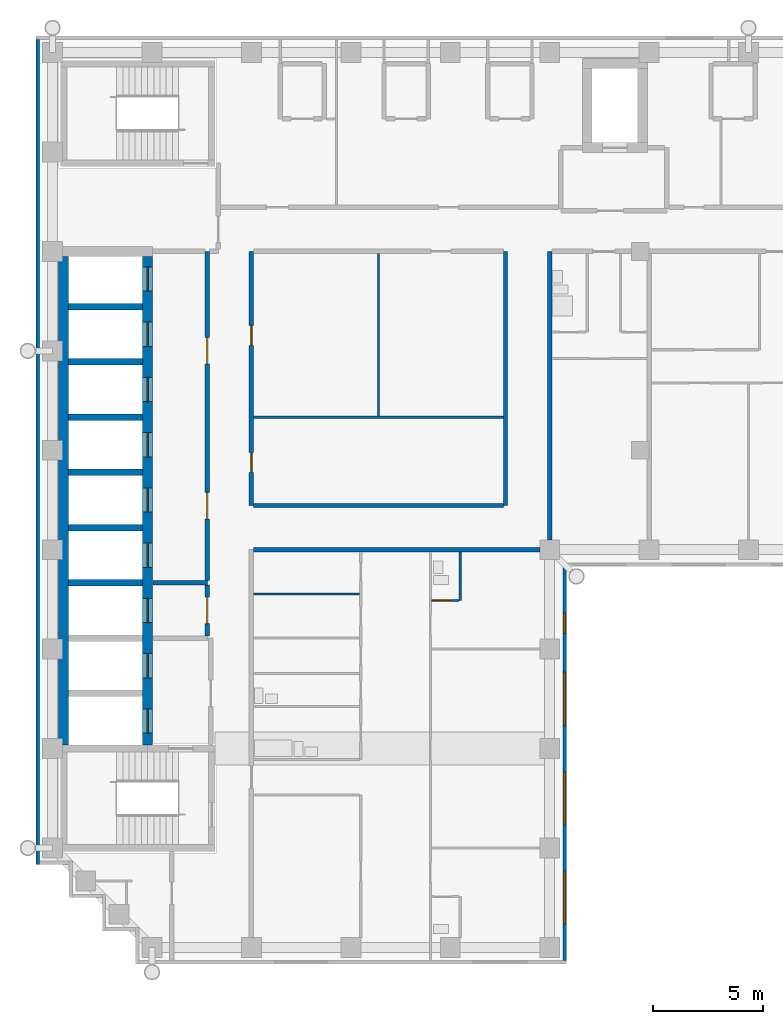
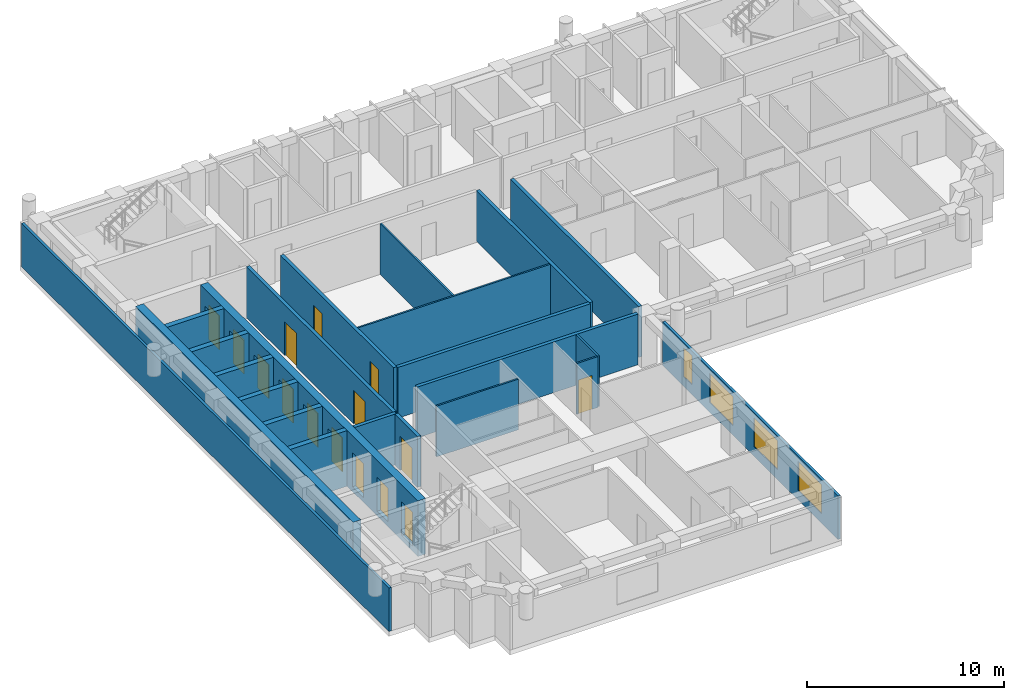
# One storey, part 3 of 9: 23 walls, 15 doors, 4 windows, 19 openings.
"""IFC4 building model written with IfcOpenShell, lengths in metres."""

from ifc_helpers import new_model, si_unit, direction, frame, frame_2d, origin, place, context, subcontext, project, spatial, rectangle, extrude, material, layer, layer_set, type_object, element, fill, save


model = new_model("IFC4")

# Units and contexts
model_context = context("Model", 3, precision=1e-05, world=origin(), true_north=direction((0.0, 1.0)))
body_context = subcontext(model_context, "Body", "Model", "MODEL_VIEW")
ifc_project = project(units=[si_unit("LENGTHUNIT", "METRE"), si_unit("AREAUNIT", "SQUARE_METRE"), si_unit("VOLUMEUNIT", "CUBIC_METRE"), si_unit("PLANEANGLEUNIT", "RADIAN"), si_unit("MASSUNIT", "GRAM", prefix="KILO")], contexts=[model_context])

# Site, building, storey
site_placement = place(None, origin())
site = spatial("IfcSite", under=ifc_project, at=site_placement, CompositionType="ELEMENT")
building_placement = place(site_placement, origin())
building = spatial("IfcBuilding", under=site, at=building_placement, Name="Firuza Court", CompositionType="ELEMENT")
storey_placement = place(building_placement, frame((0.0, 0.0, 254.60009765625)))
storey = spatial("IfcBuildingStorey", under=building, at=storey_placement, Name="L66", CompositionType="ELEMENT", Elevation=254.60009765625)

# Wall, opening, door
ifc_material_1 = material(Name="Moisture-resistant gypsum board partition")
ifc_layer_1 = layer(ifc_material_1, 0.10009765625)
ifc_layer_set_1 = layer_set([ifc_layer_1], Name="Moisture-resistant gypsum board partition")
wall_type_1 = type_object("IfcWallType", Name="Bathroom partition 100", PredefinedType="PLUMBINGWALL", material=ifc_layer_set_1)
wall_1_placement = place(storey_placement, frame((17.14990234375, 33.699951171875, 0.0), z_axis=(0.0, 0.0, 1.0), x_axis=(1.0, 0.0, 0.0)))
wall_1 = element("IfcWall", 1, at=wall_1_placement, inside=storey, type_object=wall_type_1, Name="Bathroom partition 100 L66", PredefinedType="PLUMBINGWALL", context=body_context, shape_type="SweptSolid", body=[
    extrude(rectangle(XDim=1.25, YDim=0.10009765625, at=frame_2d((0.625, 0.0))), origin(), (0.0, 0.0, 1.0), 3.14990234375),
])
opening_1_placement = place(wall_1_placement, frame((0.10009765625, 0.0, 0.0)))
opening_1 = element("IfcOpeningElement", 2, at=opening_1_placement, cuts=wall_1, Name="Opening D66024", PredefinedType="OPENING", context=body_context, shape_type="SweptSolid", body=[
    extrude(rectangle(XDim=0.800048828125, YDim=2.10009765625, at=frame_2d((0.39990234375, 1.050048828125))), frame((0.0, 0.06201171875, 0.0), z_axis=(0.0, -1.0, 0.0), x_axis=(1.0, 0.0, 0.0)), (0.0, 0.0, 1.0), 0.1240234375),
])
ifc_material_2 = material(Name="Timber door leaf in hardwood frame", Category="wood")
door_type_1 = type_object("IfcDoorType", Name="Bathroom door 800", OperationType="SINGLE_SWING_LEFT", PredefinedType="DOOR", material=ifc_material_2)
door_1_placement = place(opening_1_placement, origin())
door_1 = element("IfcDoor", 3, at=door_1_placement, inside=storey, type_object=door_type_1, Name="En-suite door", OperationType="SINGLE_SWING_LEFT", OverallHeight=2.10009765625, OverallWidth=0.800048828125, PredefinedType="DOOR", context=body_context, shape_type="SweptSolid", body=[
    extrude(rectangle(XDim=0.800048828125, YDim=2.10009765625, at=frame_2d((0.39990234375, 1.050048828125))), frame((0.0, 0.02490234375, 0.0), z_axis=(0.0, -1.0, 0.0), x_axis=(1.0, 0.0, 0.0)), (0.0, 0.0, 1.0), 0.050048828125),
])
fill(opening_1, door_1)

# Walls
wall_2_placement = place(storey_placement, frame((18.449951171875, 33.699951171875, 0.0), z_axis=(0.0, 0.0, 1.0), x_axis=(0.0, 1.0, 0.0)))
element("IfcWall", 4, at=wall_2_placement, inside=storey, type_object=wall_type_1, Name="Bathroom partition 100 L66", PredefinedType="PLUMBINGWALL", context=body_context, shape_type="SweptSolid", body=[
    extrude(rectangle(XDim=2.199951171875, YDim=0.10009765625, at=frame_2d((1.10009765625, 0.0))), origin(), (0.0, 0.0, 1.0), 3.14990234375),
])
ifc_material_3 = material(Name="Concrete C50/60", Category="concrete")
ifc_layer_2 = layer(ifc_material_3, 0.300048828125)
ifc_layer_set_2 = layer_set([ifc_layer_2], Name="Concrete C50/60")
wall_type_2 = type_object("IfcWallType", Name="Core wall 300 C50/60", PredefinedType="SHEAR", material=ifc_layer_set_2)
for number, where, z_axis, x_axis, name in (
    (5, (0.72509765625, 34.5, -0.300048828125), (0.0, 0.0, 1.0), (1.0, 0.0, 0.0), "Core wall lift shaft L66"),
    (6, (0.72509765625, 37.0, -0.300048828125), (0.0, 0.0, 1.0), (1.0, 0.0, 0.0), "Core wall lift shaft L66"),
    (7, (0.72509765625, 39.5, -0.300048828125), (0.0, 0.0, 1.0), (1.0, 0.0, 0.0), "Core wall lift shaft L66"),
    (8, (0.72509765625, 42.0, -0.300048828125), (0.0, 0.0, 1.0), (1.0, 0.0, 0.0), "Core wall lift shaft L66"),
    (9, (0.72509765625, 44.5, -0.300048828125), (0.0, 0.0, 1.0), (1.0, 0.0, 0.0), "Core wall lift shaft L66"),
    (10, (0.72509765625, 47.0, -0.300048828125), (0.0, 0.0, 1.0), (1.0, 0.0, 0.0), "Core wall lift shaft L66"),
):
    element("IfcWall", number, at=place(storey_placement, frame(where, z_axis=z_axis, x_axis=x_axis)), inside=storey, type_object=wall_type_2, Name=name, PredefinedType="SHEAR", context=body_context, shape_type="SweptSolid", body=[
        extrude(rectangle(XDim=3.349853515625, YDim=0.300048828125, at=frame_2d((1.6748046875, 0.0))), origin(), (0.0, 0.0, 1.0), 3.449951171875),
    ])
ifc_layer_3 = layer(ifc_material_3, 0.449951171875)
ifc_layer_set_3 = layer_set([ifc_layer_3], Name="Concrete C50/60")
wall_type_3 = type_object("IfcWallType", Name="Core wall 450 C50/60", PredefinedType="SHEAR", material=ifc_layer_set_3)
wall_3_placement = place(storey_placement, frame((0.5, 27.14990234375, -0.300048828125), z_axis=(0.0, 0.0, 1.0), x_axis=(0.0, 1.0, 0.0)))
element("IfcWall", 11, at=wall_3_placement, inside=storey, type_object=wall_type_3, Name="Core wall lift shaft L66", PredefinedType="SHEAR", context=body_context, shape_type="SweptSolid", body=[
    extrude(rectangle(XDim=22.125, YDim=0.449951171875, at=frame_2d((11.0625, 0.0))), origin(), (0.0, 0.0, 1.0), 3.449951171875),
])

# Wall, openings, doors
wall_4_placement = place(storey_placement, frame((4.300048828125, 27.14990234375, -0.300048828125), z_axis=(0.0, 0.0, 1.0), x_axis=(0.0, 1.0, 0.0)))
wall_4 = element("IfcWall", 12, at=wall_4_placement, inside=storey, type_object=wall_type_3, Name="Core wall lift shaft L66", PredefinedType="SHEAR", context=body_context, shape_type="SweptSolid", body=[
    extrude(rectangle(XDim=22.125, YDim=0.449951171875, at=frame_2d((11.0625, 0.0))), origin(), (0.0, 0.0, 1.0), 3.449951171875),
])
opening_2_placement = place(wall_4_placement, frame((3.050048828125, 0.0, 0.300048828125)))
opening_2 = element("IfcOpeningElement", 13, at=opening_2_placement, cuts=wall_4, Name="Opening LD-FL1-66", PredefinedType="OPENING", context=body_context, shape_type="SweptSolid", body=[
    extrude(rectangle(XDim=1.10009765625, YDim=2.10009765625, at=frame_2d((0.550048828125, 1.050048828125))), frame((0.0, 0.23681640625, 0.0), z_axis=(0.0, -1.0, 0.0), x_axis=(1.0, 0.0, 0.0)), (0.0, 0.0, 1.0), 0.473876953125),
])
opening_3_placement = place(wall_4_placement, frame((0.550048828125, 0.0, 0.300048828125)))
opening_3 = element("IfcOpeningElement", 14, at=opening_3_placement, cuts=wall_4, Name="Opening LD-FL2-66", PredefinedType="OPENING", context=body_context, shape_type="SweptSolid", body=[
    extrude(rectangle(XDim=1.10009765625, YDim=2.10009765625, at=frame_2d((0.550048828125, 1.050048828125))), frame((0.0, 0.23681640625, 0.0), z_axis=(0.0, -1.0, 0.0), x_axis=(1.0, 0.0, 0.0)), (0.0, 0.0, 1.0), 0.473876953125),
])
opening_4_placement = place(wall_4_placement, frame((20.550048828125, 0.0, 0.300048828125)))
opening_4 = element("IfcOpeningElement", 15, at=opening_4_placement, cuts=wall_4, Name="Opening LD-HB1-66", PredefinedType="OPENING", context=body_context, shape_type="SweptSolid", body=[
    extrude(rectangle(XDim=1.10009765625, YDim=2.10009765625, at=frame_2d((0.550048828125, 1.050048828125))), frame((0.0, 0.23681640625, 0.0), z_axis=(0.0, -1.0, 0.0), x_axis=(1.0, 0.0, 0.0)), (0.0, 0.0, 1.0), 0.473876953125),
])
opening_5_placement = place(wall_4_placement, frame((18.050048828125, 0.0, 0.300048828125)))
opening_5 = element("IfcOpeningElement", 16, at=opening_5_placement, cuts=wall_4, Name="Opening LD-HB2-66", PredefinedType="OPENING", context=body_context, shape_type="SweptSolid", body=[
    extrude(rectangle(XDim=1.10009765625, YDim=2.10009765625, at=frame_2d((0.550048828125, 1.050048828125))), frame((0.0, 0.23681640625, 0.0), z_axis=(0.0, -1.0, 0.0), x_axis=(1.0, 0.0, 0.0)), (0.0, 0.0, 1.0), 0.473876953125),
])
opening_6_placement = place(wall_4_placement, frame((15.550048828125, 0.0, 0.300048828125)))
opening_6 = element("IfcOpeningElement", 17, at=opening_6_placement, cuts=wall_4, Name="Opening LD-HB3-66", PredefinedType="OPENING", context=body_context, shape_type="SweptSolid", body=[
    extrude(rectangle(XDim=1.10009765625, YDim=2.10009765625, at=frame_2d((0.550048828125, 1.050048828125))), frame((0.0, 0.23681640625, 0.0), z_axis=(0.0, -1.0, 0.0), x_axis=(1.0, 0.0, 0.0)), (0.0, 0.0, 1.0), 0.473876953125),
])
opening_7_placement = place(wall_4_placement, frame((13.050048828125, 0.0, 0.300048828125)))
opening_7 = element("IfcOpeningElement", 18, at=opening_7_placement, cuts=wall_4, Name="Opening LD-HB4-66", PredefinedType="OPENING", context=body_context, shape_type="SweptSolid", body=[
    extrude(rectangle(XDim=1.10009765625, YDim=2.10009765625, at=frame_2d((0.550048828125, 1.050048828125))), frame((0.0, 0.23681640625, 0.0), z_axis=(0.0, -1.0, 0.0), x_axis=(1.0, 0.0, 0.0)), (0.0, 0.0, 1.0), 0.473876953125),
])
opening_8_placement = place(wall_4_placement, frame((10.550048828125, 0.0, 0.300048828125)))
opening_8 = element("IfcOpeningElement", 19, at=opening_8_placement, cuts=wall_4, Name="Opening LD-HB5-66", PredefinedType="OPENING", context=body_context, shape_type="SweptSolid", body=[
    extrude(rectangle(XDim=1.10009765625, YDim=2.10009765625, at=frame_2d((0.550048828125, 1.050048828125))), frame((0.0, 0.23681640625, 0.0), z_axis=(0.0, -1.0, 0.0), x_axis=(1.0, 0.0, 0.0)), (0.0, 0.0, 1.0), 0.473876953125),
])
opening_9_placement = place(wall_4_placement, frame((8.050048828125, 0.0, 0.300048828125)))
opening_9 = element("IfcOpeningElement", 20, at=opening_9_placement, cuts=wall_4, Name="Opening LD-HB6-66", PredefinedType="OPENING", context=body_context, shape_type="SweptSolid", body=[
    extrude(rectangle(XDim=1.10009765625, YDim=2.10009765625, at=frame_2d((0.550048828125, 1.050048828125))), frame((0.0, 0.23681640625, 0.0), z_axis=(0.0, -1.0, 0.0), x_axis=(1.0, 0.0, 0.0)), (0.0, 0.0, 1.0), 0.473876953125),
])
opening_10_placement = place(wall_4_placement, frame((5.550048828125, 0.0, 0.300048828125)))
opening_10 = element("IfcOpeningElement", 21, at=opening_10_placement, cuts=wall_4, Name="Opening LD-SL1-66", PredefinedType="OPENING", context=body_context, shape_type="SweptSolid", body=[
    extrude(rectangle(XDim=1.10009765625, YDim=2.10009765625, at=frame_2d((0.550048828125, 1.050048828125))), frame((0.0, 0.23681640625, 0.0), z_axis=(0.0, -1.0, 0.0), x_axis=(1.0, 0.0, 0.0)), (0.0, 0.0, 1.0), 0.473876953125),
])
ifc_material_4 = material(Name="Stainless steel 1.4301 door leaf", Category="steel")
door_type_2 = type_object("IfcDoorType", Name="Lift landing door 1100", OperationType="SLIDING_TO_LEFT", PredefinedType="DOOR", material=ifc_material_4)
door_2_placement = place(opening_2_placement, origin())
door_2 = element("IfcDoor", 22, at=door_2_placement, inside=storey, type_object=door_type_2, Name="Landing door FL1", OperationType="SLIDING_TO_LEFT", OverallHeight=2.10009765625, OverallWidth=1.10009765625, PredefinedType="DOOR", context=body_context, shape_type="SweptSolid", body=[
    extrude(rectangle(XDim=1.10009765625, YDim=2.10009765625, at=frame_2d((0.550048828125, 1.050048828125))), frame((0.0, 0.02490234375, 0.0), z_axis=(0.0, -1.0, 0.0), x_axis=(1.0, 0.0, 0.0)), (0.0, 0.0, 1.0), 0.050048828125),
])
fill(opening_2, door_2)
door_3_placement = place(opening_3_placement, origin())
door_3 = element("IfcDoor", 23, at=door_3_placement, inside=storey, type_object=door_type_2, Name="Landing door FL2", OperationType="SLIDING_TO_LEFT", OverallHeight=2.10009765625, OverallWidth=1.10009765625, PredefinedType="DOOR", context=body_context, shape_type="SweptSolid", body=[
    extrude(rectangle(XDim=1.10009765625, YDim=2.10009765625, at=frame_2d((0.550048828125, 1.050048828125))), frame((0.0, 0.02490234375, 0.0), z_axis=(0.0, -1.0, 0.0), x_axis=(1.0, 0.0, 0.0)), (0.0, 0.0, 1.0), 0.050048828125),
])
fill(opening_3, door_3)
door_4_placement = place(opening_4_placement, origin())
door_4 = element("IfcDoor", 24, at=door_4_placement, inside=storey, type_object=door_type_2, Name="Landing door HB1", OperationType="SLIDING_TO_LEFT", OverallHeight=2.10009765625, OverallWidth=1.10009765625, PredefinedType="DOOR", context=body_context, shape_type="SweptSolid", body=[
    extrude(rectangle(XDim=1.10009765625, YDim=2.10009765625, at=frame_2d((0.550048828125, 1.050048828125))), frame((0.0, 0.02490234375, 0.0), z_axis=(0.0, -1.0, 0.0), x_axis=(1.0, 0.0, 0.0)), (0.0, 0.0, 1.0), 0.050048828125),
])
fill(opening_4, door_4)
door_5_placement = place(opening_5_placement, origin())
door_5 = element("IfcDoor", 25, at=door_5_placement, inside=storey, type_object=door_type_2, Name="Landing door HB2", OperationType="SLIDING_TO_LEFT", OverallHeight=2.10009765625, OverallWidth=1.10009765625, PredefinedType="DOOR", context=body_context, shape_type="SweptSolid", body=[
    extrude(rectangle(XDim=1.10009765625, YDim=2.10009765625, at=frame_2d((0.550048828125, 1.050048828125))), frame((0.0, 0.02490234375, 0.0), z_axis=(0.0, -1.0, 0.0), x_axis=(1.0, 0.0, 0.0)), (0.0, 0.0, 1.0), 0.050048828125),
])
fill(opening_5, door_5)
door_6_placement = place(opening_6_placement, origin())
door_6 = element("IfcDoor", 26, at=door_6_placement, inside=storey, type_object=door_type_2, Name="Landing door HB3", OperationType="SLIDING_TO_LEFT", OverallHeight=2.10009765625, OverallWidth=1.10009765625, PredefinedType="DOOR", context=body_context, shape_type="SweptSolid", body=[
    extrude(rectangle(XDim=1.10009765625, YDim=2.10009765625, at=frame_2d((0.550048828125, 1.050048828125))), frame((0.0, 0.02490234375, 0.0), z_axis=(0.0, -1.0, 0.0), x_axis=(1.0, 0.0, 0.0)), (0.0, 0.0, 1.0), 0.050048828125),
])
fill(opening_6, door_6)
door_7_placement = place(opening_7_placement, origin())
door_7 = element("IfcDoor", 27, at=door_7_placement, inside=storey, type_object=door_type_2, Name="Landing door HB4", OperationType="SLIDING_TO_LEFT", OverallHeight=2.10009765625, OverallWidth=1.10009765625, PredefinedType="DOOR", context=body_context, shape_type="SweptSolid", body=[
    extrude(rectangle(XDim=1.10009765625, YDim=2.10009765625, at=frame_2d((0.550048828125, 1.050048828125))), frame((0.0, 0.02490234375, 0.0), z_axis=(0.0, -1.0, 0.0), x_axis=(1.0, 0.0, 0.0)), (0.0, 0.0, 1.0), 0.050048828125),
])
fill(opening_7, door_7)
door_8_placement = place(opening_8_placement, origin())
door_8 = element("IfcDoor", 28, at=door_8_placement, inside=storey, type_object=door_type_2, Name="Landing door HB5", OperationType="SLIDING_TO_LEFT", OverallHeight=2.10009765625, OverallWidth=1.10009765625, PredefinedType="DOOR", context=body_context, shape_type="SweptSolid", body=[
    extrude(rectangle(XDim=1.10009765625, YDim=2.10009765625, at=frame_2d((0.550048828125, 1.050048828125))), frame((0.0, 0.02490234375, 0.0), z_axis=(0.0, -1.0, 0.0), x_axis=(1.0, 0.0, 0.0)), (0.0, 0.0, 1.0), 0.050048828125),
])
fill(opening_8, door_8)
door_9_placement = place(opening_9_placement, origin())
door_9 = element("IfcDoor", 29, at=door_9_placement, inside=storey, type_object=door_type_2, Name="Landing door HB6", OperationType="SLIDING_TO_LEFT", OverallHeight=2.10009765625, OverallWidth=1.10009765625, PredefinedType="DOOR", context=body_context, shape_type="SweptSolid", body=[
    extrude(rectangle(XDim=1.10009765625, YDim=2.10009765625, at=frame_2d((0.550048828125, 1.050048828125))), frame((0.0, 0.02490234375, 0.0), z_axis=(0.0, -1.0, 0.0), x_axis=(1.0, 0.0, 0.0)), (0.0, 0.0, 1.0), 0.050048828125),
])
fill(opening_9, door_9)
door_10_placement = place(opening_10_placement, origin())
door_10 = element("IfcDoor", 30, at=door_10_placement, inside=storey, type_object=door_type_2, Name="Landing door SL1", OperationType="SLIDING_TO_LEFT", OverallHeight=2.10009765625, OverallWidth=1.10009765625, PredefinedType="DOOR", context=body_context, shape_type="SweptSolid", body=[
    extrude(rectangle(XDim=1.10009765625, YDim=2.10009765625, at=frame_2d((0.550048828125, 1.050048828125))), frame((0.0, 0.02490234375, 0.0), z_axis=(0.0, -1.0, 0.0), x_axis=(1.0, 0.0, 0.0)), (0.0, 0.0, 1.0), 0.050048828125),
])
fill(opening_10, door_10)

ifc_material_5 = material(Name="Blockwork, plastered both sides", Category="masonry")
ifc_layer_4 = layer(ifc_material_5, 0.199951171875)
ifc_layer_set_4 = layer_set([ifc_layer_4], Name="Blockwork, plastered both sides")
wall_type_4 = type_object("IfcWallType", Name="Corridor wall 200", PredefinedType="PARTITIONING", material=ifc_layer_set_4)
wall_5_placement = place(storey_placement, frame((9.0, 38.0, 0.0), z_axis=(0.0, 0.0, 1.0), x_axis=(0.0, 1.0, 0.0)))
wall_5 = element("IfcWall", 31, at=wall_5_placement, inside=storey, type_object=wall_type_4, Name="Corridor wall 200 L66", PredefinedType="PARTITIONING", context=body_context, shape_type="SweptSolid", body=[
    extrude(rectangle(XDim=11.5, YDim=0.199951171875, at=frame_2d((5.75, 0.0))), origin(), (0.0, 0.0, 1.0), 3.14990234375),
])
opening_11_placement = place(wall_5_placement, frame((1.5, 0.0, 0.0)))
opening_11 = element("IfcOpeningElement", 32, at=opening_11_placement, cuts=wall_5, Name="Opening D66025", PredefinedType="OPENING", context=body_context, shape_type="SweptSolid", body=[
    extrude(rectangle(XDim=0.89990234375, YDim=2.10009765625, at=frame_2d((0.449951171875, 1.050048828125))), frame((0.0, 0.11181640625, 0.0), z_axis=(0.0, -1.0, 0.0), x_axis=(1.0, 0.0, 0.0)), (0.0, 0.0, 1.0), 0.223876953125),
])
opening_12_placement = place(wall_5_placement, frame((7.25, 0.0, 0.0)))
opening_12 = element("IfcOpeningElement", 33, at=opening_12_placement, cuts=wall_5, Name="Opening D66026", PredefinedType="OPENING", context=body_context, shape_type="SweptSolid", body=[
    extrude(rectangle(XDim=0.89990234375, YDim=2.10009765625, at=frame_2d((0.449951171875, 1.050048828125))), frame((0.0, 0.11181640625, 0.0), z_axis=(0.0, -1.0, 0.0), x_axis=(1.0, 0.0, 0.0)), (0.0, 0.0, 1.0), 0.223876953125),
])
ifc_material_6 = material(Name="Timber door leaf in hardwood frame", Category="wood")
door_type_3 = type_object("IfcDoorType", Name="Room door 900 EI 30", OperationType="SINGLE_SWING_LEFT", PredefinedType="DOOR", material=ifc_material_6)
door_11_placement = place(opening_11_placement, origin())
door_11 = element("IfcDoor", 34, at=door_11_placement, inside=storey, type_object=door_type_3, Name="Observation lounge door", OperationType="SINGLE_SWING_LEFT", OverallHeight=2.10009765625, OverallWidth=0.89990234375, PredefinedType="DOOR", context=body_context, shape_type="SweptSolid", body=[
    extrude(rectangle(XDim=0.89990234375, YDim=2.10009765625, at=frame_2d((0.449951171875, 1.050048828125))), frame((0.0, 0.02490234375, 0.0), z_axis=(0.0, -1.0, 0.0), x_axis=(1.0, 0.0, 0.0)), (0.0, 0.0, 1.0), 0.050048828125),
])
fill(opening_11, door_11)
door_12_placement = place(opening_12_placement, origin())
door_12 = element("IfcDoor", 35, at=door_12_placement, inside=storey, type_object=door_type_3, Name="Private dining room door", OperationType="SINGLE_SWING_RIGHT", OverallHeight=2.10009765625, OverallWidth=0.89990234375, PredefinedType="DOOR", context=body_context, shape_type="SweptSolid", body=[
    extrude(rectangle(XDim=0.89990234375, YDim=2.10009765625, at=frame_2d((0.449951171875, 1.050048828125))), frame((0.0, 0.02490234375, 0.0), z_axis=(0.0, -1.0, 0.0), x_axis=(1.0, 0.0, 0.0)), (0.0, 0.0, 1.0), 0.050048828125),
])
fill(opening_12, door_12)

# Walls
wall_6_placement = place(storey_placement, frame((9.10009765625, 38.0, 0.0), z_axis=(0.0, 0.0, 1.0), x_axis=(1.0, 0.0, 0.0)))
element("IfcWall", 36, at=wall_6_placement, inside=storey, type_object=wall_type_4, Name="Corridor wall 200 L66", PredefinedType="PARTITIONING", context=body_context, shape_type="SweptSolid", body=[
    extrude(rectangle(XDim=11.2998046875, YDim=0.199951171875, at=frame_2d((5.64990234375, 0.0))), origin(), (0.0, 0.0, 1.0), 3.14990234375),
])
wall_7_placement = place(storey_placement, frame((20.5, 38.0, 0.0), z_axis=(0.0, 0.0, 1.0), x_axis=(0.0, 1.0, 0.0)))
element("IfcWall", 37, at=wall_7_placement, inside=storey, type_object=wall_type_4, Name="Corridor wall 200 L66", PredefinedType="PARTITIONING", context=body_context, shape_type="SweptSolid", body=[
    extrude(rectangle(XDim=11.5, YDim=0.199951171875, at=frame_2d((5.75, 0.0))), origin(), (0.0, 0.0, 1.0), 3.14990234375),
])
ifc_material_7 = material(Name="Timber stud partition, plasterboard both sides", Category="wood")
ifc_layer_5 = layer(ifc_material_7, 0.10009765625)
ifc_layer_set_5 = layer_set([ifc_layer_5], Name="Timber stud partition, plasterboard both sides")
wall_type_5 = type_object("IfcWallType", Name="Partition wall 100", PredefinedType="PARTITIONING", material=ifc_layer_set_5)
wall_8_placement = place(storey_placement, frame((9.10009765625, 34.0, 0.0), z_axis=(0.0, 0.0, 1.0), x_axis=(1.0, 0.0, 0.0)))
element("IfcWall", 38, at=wall_8_placement, inside=storey, type_object=wall_type_5, Name="Partition wall 100 L66", PredefinedType="PARTITIONING", context=body_context, shape_type="SweptSolid", body=[
    extrude(rectangle(XDim=4.7998046875, YDim=0.10009765625, at=frame_2d((2.39990234375, 0.0))), origin(), (0.0, 0.0, 1.0), 3.14990234375),
])
wall_9_placement = place(storey_placement, frame((9.10009765625, 42.0, 0.0), z_axis=(0.0, 0.0, 1.0), x_axis=(1.0, 0.0, 0.0)))
element("IfcWall", 39, at=wall_9_placement, inside=storey, type_object=wall_type_5, Name="Partition wall 100 L66", PredefinedType="PARTITIONING", context=body_context, shape_type="SweptSolid", body=[
    extrude(rectangle(XDim=11.2998046875, YDim=0.10009765625, at=frame_2d((5.64990234375, 0.0))), origin(), (0.0, 0.0, 1.0), 3.14990234375),
])
wall_10_placement = place(storey_placement, frame((14.75, 42.050048828125, 0.0), z_axis=(0.0, 0.0, 1.0), x_axis=(0.0, 1.0, 0.0)))
element("IfcWall", 40, at=wall_10_placement, inside=storey, type_object=wall_type_5, Name="Partition wall 100 L66", PredefinedType="PARTITIONING", context=body_context, shape_type="SweptSolid", body=[
    extrude(rectangle(XDim=7.349853515625, YDim=0.10009765625, at=frame_2d((3.6748046875, 0.0))), origin(), (0.0, 0.0, 1.0), 3.14990234375),
])
ifc_layer_6 = layer(ifc_material_5, 0.199951171875)
ifc_layer_set_6 = layer_set([ifc_layer_6], Name="Blockwork, plastered both sides")
wall_type_6 = type_object("IfcWallType", Name="Party wall 200", PredefinedType="PARTITIONING", material=ifc_layer_set_6)
wall_11_placement = place(storey_placement, frame((9.10009765625, 36.0, 0.0), z_axis=(0.0, 0.0, 1.0), x_axis=(1.0, 0.0, 0.0)))
element("IfcWall", 41, at=wall_11_placement, inside=storey, type_object=wall_type_6, Name="Party wall 200 L66", PredefinedType="PARTITIONING", context=body_context, shape_type="SweptSolid", body=[
    extrude(rectangle(XDim=12.949951171875, YDim=0.199951171875, at=frame_2d((6.47509765625, 0.0))), origin(), (0.0, 0.0, 1.0), 3.14990234375),
])
wall_12_placement = place(storey_placement, frame((22.5, 36.449951171875, 0.0), z_axis=(0.0, 0.0, 1.0), x_axis=(0.0, 1.0, 0.0)))
element("IfcWall", 42, at=wall_12_placement, inside=storey, type_object=wall_type_6, Name="Party wall 200 L66", PredefinedType="PARTITIONING", context=body_context, shape_type="SweptSolid", body=[
    extrude(rectangle(XDim=13.050048828125, YDim=0.199951171875, at=frame_2d((6.52490234375, 0.0))), origin(), (0.0, 0.0, 1.0), 3.14990234375),
])

# Wall, openings, windows
ifc_material_8 = material(Name="Ceramic tile", Category="ceramic")
ifc_layer_7 = layer(ifc_material_8, 0.02001953125)
ifc_material_9 = material(Name="Mineral wool insulation", Category="insulation")
ifc_layer_8 = layer(ifc_material_9, 0.050048828125)
ifc_material_10 = material(Name="Concrete C40/50 precast", Category="concrete")
ifc_layer_9 = layer(ifc_material_10, 0.080078125)
ifc_layer_set_7 = layer_set([ifc_layer_7, ifc_layer_8, ifc_layer_9], Name="Concrete C40/50 precast")
wall_type_7 = type_object("IfcWallType", Name="Precast cladding wall with turquoise TILE PANEL face 150", PredefinedType="STANDARD", material=ifc_layer_set_7)
wall_13_placement = place(storey_placement, frame((23.175048828125, 17.39990234375, 0.0), z_axis=(0.0, 0.0, 1.0), x_axis=(0.0, 1.0, 0.0)))
wall_13 = element("IfcWall", 43, at=wall_13_placement, inside=storey, type_object=wall_type_7, Name="Facade wall L66 E", PredefinedType="STANDARD", context=body_context, shape_type="SweptSolid", body=[
    extrude(rectangle(XDim=17.85009765625, YDim=0.14990234375, at=frame_2d((8.925048828125, 0.0))), origin(), (0.0, 0.0, 1.0), 2.699951171875),
])
opening_13_placement = place(wall_13_placement, frame((1.64990234375, 0.0, 0.60009765625)))
opening_13 = element("IfcOpeningElement", 44, at=opening_13_placement, cuts=wall_13, Name="Opening W1", PredefinedType="OPENING", context=body_context, shape_type="SweptSolid", body=[
    extrude(rectangle(XDim=2.39990234375, YDim=1.800048828125, at=frame_2d((1.199951171875, 0.89990234375))), frame((0.0, 0.0869140625, 0.0), z_axis=(0.0, -1.0, 0.0), x_axis=(1.0, 0.0, 0.0)), (0.0, 0.0, 1.0), 0.173828125),
])
opening_14_placement = place(wall_13_placement, frame((6.14990234375, 0.0, 0.60009765625)))
opening_14 = element("IfcOpeningElement", 45, at=opening_14_placement, cuts=wall_13, Name="Opening W1", PredefinedType="OPENING", context=body_context, shape_type="SweptSolid", body=[
    extrude(rectangle(XDim=2.39990234375, YDim=1.800048828125, at=frame_2d((1.199951171875, 0.89990234375))), frame((0.0, 0.0869140625, 0.0), z_axis=(0.0, -1.0, 0.0), x_axis=(1.0, 0.0, 0.0)), (0.0, 0.0, 1.0), 0.173828125),
])
opening_15_placement = place(wall_13_placement, frame((10.64990234375, 0.0, 0.60009765625)))
opening_15 = element("IfcOpeningElement", 46, at=opening_15_placement, cuts=wall_13, Name="Opening W1", PredefinedType="OPENING", context=body_context, shape_type="SweptSolid", body=[
    extrude(rectangle(XDim=2.39990234375, YDim=1.800048828125, at=frame_2d((1.199951171875, 0.89990234375))), frame((0.0, 0.0869140625, 0.0), z_axis=(0.0, -1.0, 0.0), x_axis=(1.0, 0.0, 0.0)), (0.0, 0.0, 1.0), 0.173828125),
])
opening_16_placement = place(wall_13_placement, frame((14.8173828125, 0.0, 0.60009765625)))
opening_16 = element("IfcOpeningElement", 47, at=opening_16_placement, cuts=wall_13, Name="Opening W3", PredefinedType="OPENING", context=body_context, shape_type="SweptSolid", body=[
    extrude(rectangle(XDim=0.89990234375, YDim=1.800048828125, at=frame_2d((0.449951171875, 0.89990234375))), frame((0.0, 0.0869140625, 0.0), z_axis=(0.0, -1.0, 0.0), x_axis=(1.0, 0.0, 0.0)), (0.0, 0.0, 1.0), 0.173828125),
])
ifc_material_11 = material(Name="Aluminium frame, triple clear glazing", Category="aluminium")
window_type_1 = type_object("IfcWindowType", Name="Window W1 2400 x 1800", PartitioningType="SINGLE_PANEL", PredefinedType="WINDOW", material=ifc_material_11)
window_1_placement = place(opening_13_placement, origin())
window_1 = element("IfcWindow", 48, at=window_1_placement, inside=storey, type_object=window_type_1, Name="Window L66", OverallHeight=1.800048828125, OverallWidth=2.39990234375, PartitioningType="SINGLE_PANEL", PredefinedType="WINDOW", context=body_context, shape_type="SweptSolid", body=[
    extrude(rectangle(XDim=2.39990234375, YDim=1.800048828125, at=frame_2d((1.199951171875, 0.89990234375))), frame((0.0, 0.030029296875, 0.0), z_axis=(0.0, -1.0, 0.0), x_axis=(1.0, 0.0, 0.0)), (0.0, 0.0, 1.0), 0.06005859375),
])
fill(opening_13, window_1)
window_2_placement = place(opening_14_placement, origin())
window_2 = element("IfcWindow", 49, at=window_2_placement, inside=storey, type_object=window_type_1, Name="Window L66", OverallHeight=1.800048828125, OverallWidth=2.39990234375, PartitioningType="SINGLE_PANEL", PredefinedType="WINDOW", context=body_context, shape_type="SweptSolid", body=[
    extrude(rectangle(XDim=2.39990234375, YDim=1.800048828125, at=frame_2d((1.199951171875, 0.89990234375))), frame((0.0, 0.030029296875, 0.0), z_axis=(0.0, -1.0, 0.0), x_axis=(1.0, 0.0, 0.0)), (0.0, 0.0, 1.0), 0.06005859375),
])
fill(opening_14, window_2)
window_3_placement = place(opening_15_placement, origin())
window_3 = element("IfcWindow", 50, at=window_3_placement, inside=storey, type_object=window_type_1, Name="Window L66", OverallHeight=1.800048828125, OverallWidth=2.39990234375, PartitioningType="SINGLE_PANEL", PredefinedType="WINDOW", context=body_context, shape_type="SweptSolid", body=[
    extrude(rectangle(XDim=2.39990234375, YDim=1.800048828125, at=frame_2d((1.199951171875, 0.89990234375))), frame((0.0, 0.030029296875, 0.0), z_axis=(0.0, -1.0, 0.0), x_axis=(1.0, 0.0, 0.0)), (0.0, 0.0, 1.0), 0.06005859375),
])
fill(opening_15, window_3)
ifc_material_12 = material(Name="Aluminium frame, triple clear glazing", Category="aluminium")
window_type_2 = type_object("IfcWindowType", Name="Window W3 900 x 1800", PartitioningType="SINGLE_PANEL", PredefinedType="WINDOW", material=ifc_material_12)
window_4_placement = place(opening_16_placement, origin())
window_4 = element("IfcWindow", 51, at=window_4_placement, inside=storey, type_object=window_type_2, Name="Window L66", OverallHeight=1.800048828125, OverallWidth=0.89990234375, PartitioningType="SINGLE_PANEL", PredefinedType="WINDOW", context=body_context, shape_type="SweptSolid", body=[
    extrude(rectangle(XDim=0.89990234375, YDim=1.800048828125, at=frame_2d((0.449951171875, 0.89990234375))), frame((0.0, 0.030029296875, 0.0), z_axis=(0.0, -1.0, 0.0), x_axis=(1.0, 0.0, 0.0)), (0.0, 0.0, 1.0), 0.06005859375),
])
fill(opening_16, window_4)

# Walls
wall_14_placement = place(storey_placement, frame((-0.675048828125, 59.10009765625, 0.0), z_axis=(0.0, 0.0, 1.0), x_axis=(0.0, -1.0, 0.0)))
element("IfcWall", 52, at=wall_14_placement, inside=storey, type_object=wall_type_7, Name="Facade wall L66 W", PredefinedType="STANDARD", context=body_context, shape_type="SweptSolid", body=[
    extrude(rectangle(XDim=37.35009765625, YDim=0.14990234375, at=frame_2d((18.675048828125, 0.0))), origin(), (0.0, 0.0, 1.0), 2.699951171875),
])
ifc_material_13 = material(Name="Blockwork, fire-rated", Category="masonry")
ifc_layer_10 = layer(ifc_material_13, 0.199951171875)
ifc_layer_set_8 = layer_set([ifc_layer_10], Name="Blockwork, fire-rated")
wall_type_8 = type_object("IfcWallType", Name="Shaft wall 200", PredefinedType="PARTITIONING", material=ifc_layer_set_8)
wall_15_placement = place(storey_placement, frame((4.544921875, 34.5, 0.0), z_axis=(0.0, 0.0, 1.0), x_axis=(1.0, 0.0, 0.0)))
element("IfcWall", 53, at=wall_15_placement, inside=storey, type_object=wall_type_8, Name="Shaft wall 200 L66", PredefinedType="PARTITIONING", context=body_context, shape_type="SweptSolid", body=[
    extrude(rectangle(XDim=2.455078125, YDim=0.199951171875, at=frame_2d((1.2275390625, 0.0))), origin(), (0.0, 0.0, 1.0), 3.14990234375),
])

# Wall, openings, doors
wall_16_placement = place(storey_placement, frame((7.0, 34.60009765625, 0.0), z_axis=(0.0, 0.0, 1.0), x_axis=(0.0, 1.0, 0.0)))
wall_16 = element("IfcWall", 54, at=wall_16_placement, inside=storey, type_object=wall_type_8, Name="Shaft wall 200 L66", PredefinedType="PARTITIONING", context=body_context, shape_type="SweptSolid", body=[
    extrude(rectangle(XDim=14.89990234375, YDim=0.199951171875, at=frame_2d((7.449951171875, 0.0))), origin(), (0.0, 0.0, 1.0), 3.14990234375),
])
opening_17_placement = place(wall_16_placement, frame((2.800048828125, 0.0, 0.0)))
opening_17 = element("IfcOpeningElement", 55, at=opening_17_placement, cuts=wall_16, Name="Opening D66004", PredefinedType="OPENING", context=body_context, shape_type="SweptSolid", body=[
    extrude(rectangle(XDim=1.199951171875, YDim=2.10009765625, at=frame_2d((0.60009765625, 1.050048828125))), frame((0.0, 0.11181640625, 0.0), z_axis=(0.0, -1.0, 0.0), x_axis=(1.0, 0.0, 0.0)), (0.0, 0.0, 1.0), 0.223876953125),
])
opening_18_placement = place(wall_16_placement, frame((9.800048828125, 0.0, 0.0)))
opening_18 = element("IfcOpeningElement", 56, at=opening_18_placement, cuts=wall_16, Name="Opening D66005", PredefinedType="OPENING", context=body_context, shape_type="SweptSolid", body=[
    extrude(rectangle(XDim=1.199951171875, YDim=2.10009765625, at=frame_2d((0.60009765625, 1.050048828125))), frame((0.0, 0.11181640625, 0.0), z_axis=(0.0, -1.0, 0.0), x_axis=(1.0, 0.0, 0.0)), (0.0, 0.0, 1.0), 0.223876953125),
])
ifc_material_14 = material(Name="Timber door leaf in hardwood frame", Category="wood")
door_type_4 = type_object("IfcDoorType", Name="Lobby door 1200", OperationType="SINGLE_SWING_LEFT", PredefinedType="DOOR", material=ifc_material_14)
door_13_placement = place(opening_17_placement, origin())
door_13 = element("IfcDoor", 57, at=door_13_placement, inside=storey, type_object=door_type_4, Name="Lobby door", OperationType="SINGLE_SWING_LEFT", OverallHeight=2.10009765625, OverallWidth=1.199951171875, PredefinedType="DOOR", context=body_context, shape_type="SweptSolid", body=[
    extrude(rectangle(XDim=1.199951171875, YDim=2.10009765625, at=frame_2d((0.60009765625, 1.050048828125))), frame((0.0, 0.02490234375, 0.0), z_axis=(0.0, -1.0, 0.0), x_axis=(1.0, 0.0, 0.0)), (0.0, 0.0, 1.0), 0.050048828125),
])
fill(opening_17, door_13)
door_14_placement = place(opening_18_placement, origin())
door_14 = element("IfcDoor", 58, at=door_14_placement, inside=storey, type_object=door_type_4, Name="Lobby door", OperationType="SINGLE_SWING_RIGHT", OverallHeight=2.10009765625, OverallWidth=1.199951171875, PredefinedType="DOOR", context=body_context, shape_type="SweptSolid", body=[
    extrude(rectangle(XDim=1.199951171875, YDim=2.10009765625, at=frame_2d((0.60009765625, 1.050048828125))), frame((0.0, 0.02490234375, 0.0), z_axis=(0.0, -1.0, 0.0), x_axis=(1.0, 0.0, 0.0)), (0.0, 0.0, 1.0), 0.050048828125),
])
fill(opening_18, door_14)

# Wall, opening, door
wall_17_placement = place(storey_placement, frame((7.0, 32.10009765625, 0.0), z_axis=(0.0, 0.0, 1.0), x_axis=(0.0, 1.0, 0.0)))
wall_17 = element("IfcWall", 59, at=wall_17_placement, inside=storey, type_object=wall_type_8, Name="Shaft wall 200 L66", PredefinedType="PARTITIONING", context=body_context, shape_type="SweptSolid", body=[
    extrude(rectangle(XDim=2.2998046875, YDim=0.199951171875, at=frame_2d((1.14990234375, 0.0))), origin(), (0.0, 0.0, 1.0), 3.14990234375),
])
opening_19_placement = place(wall_17_placement, frame((0.550048828125, 0.0, 0.0)))
opening_19 = element("IfcOpeningElement", 60, at=opening_19_placement, cuts=wall_17, Name="Opening D66007", PredefinedType="OPENING", context=body_context, shape_type="SweptSolid", body=[
    extrude(rectangle(XDim=1.199951171875, YDim=2.10009765625, at=frame_2d((0.60009765625, 1.050048828125))), frame((0.0, 0.11181640625, 0.0), z_axis=(0.0, -1.0, 0.0), x_axis=(1.0, 0.0, 0.0)), (0.0, 0.0, 1.0), 0.223876953125),
])
door_15_placement = place(opening_19_placement, origin())
door_15 = element("IfcDoor", 61, at=door_15_placement, inside=storey, type_object=door_type_4, Name="Lobby door", OperationType="SINGLE_SWING_LEFT", OverallHeight=2.10009765625, OverallWidth=1.199951171875, PredefinedType="DOOR", context=body_context, shape_type="SweptSolid", body=[
    extrude(rectangle(XDim=1.199951171875, YDim=2.10009765625, at=frame_2d((0.60009765625, 1.050048828125))), frame((0.0, 0.02490234375, 0.0), z_axis=(0.0, -1.0, 0.0), x_axis=(1.0, 0.0, 0.0)), (0.0, 0.0, 1.0), 0.050048828125),
])
fill(opening_19, door_15)

save(model, "model.ifc")
